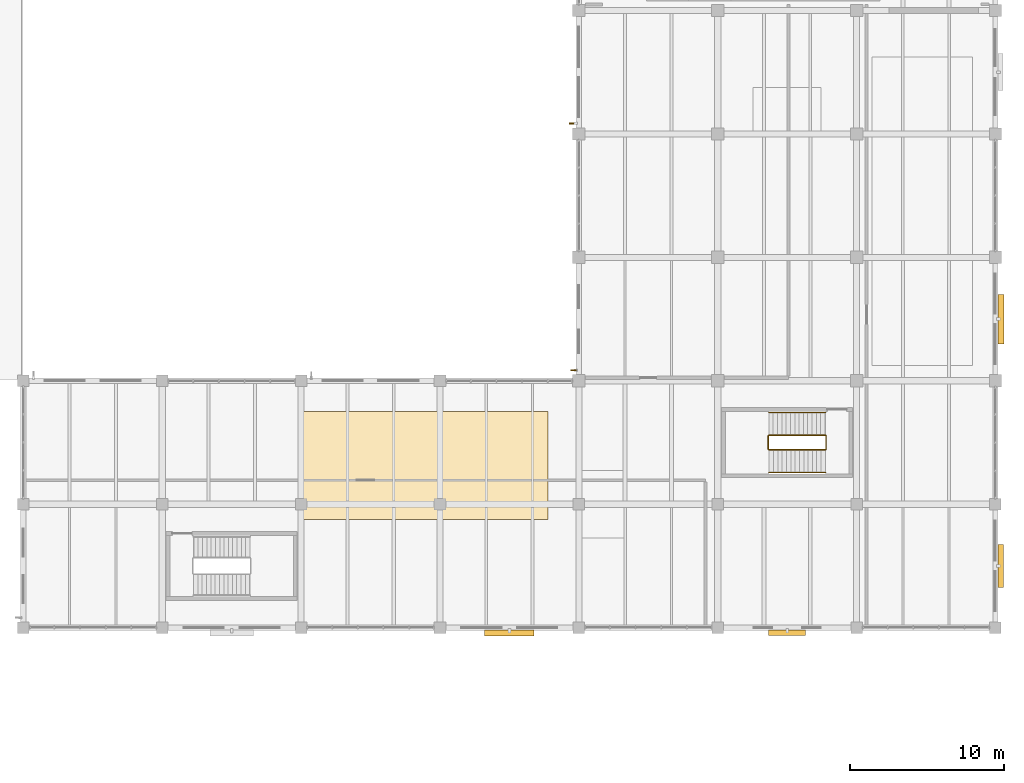
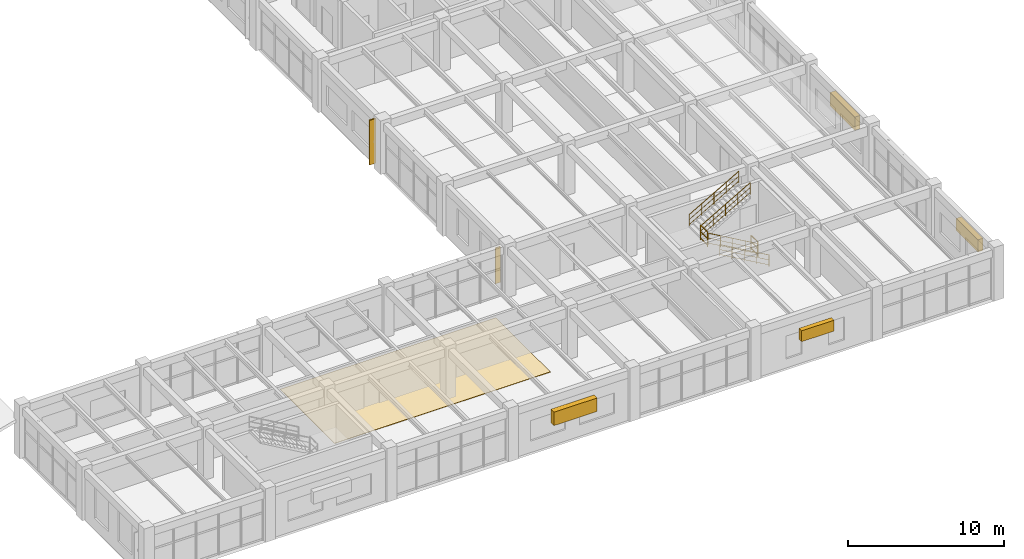
# One storey, part 145 of 148: 6 railings, 6 shading devices, 1 covering.
"""IFC4 building model written with IfcOpenShell, lengths in metres."""

from ifc_helpers import new_model, si_unit, derived_unit, direction, frame, origin, origin_2d, place, context, subcontext, project, spatial, polyline, rectangle, circle, outline, extrude, material, layer, layer_set, type_object, element, save


model = new_model("IFC4")

# Units and contexts
model_context = context("Model", 3, precision=1e-05, world=origin(), true_north=direction((0.0, 1.0)))
body_context = subcontext(model_context, "Body", "Model", "MODEL_VIEW")
ifc_project = project(units=[si_unit("LENGTHUNIT", "METRE"), si_unit("AREAUNIT", "SQUARE_METRE"), si_unit("VOLUMEUNIT", "CUBIC_METRE"), si_unit("PLANEANGLEUNIT", "RADIAN"), si_unit("MASSUNIT", "GRAM", prefix="KILO"), derived_unit("THERMALTRANSMITTANCEUNIT", [(si_unit("MASSUNIT", "GRAM", prefix="KILO"), 1), (si_unit("TIMEUNIT", "SECOND"), -3), (si_unit("THERMODYNAMICTEMPERATUREUNIT", "KELVIN"), -1)])], contexts=[model_context])

# Site, building, storey
site_placement = place(None, origin())
site = spatial("IfcSite", under=ifc_project, at=site_placement, CompositionType="ELEMENT")
building_placement = place(site_placement, origin())
building = spatial("IfcBuilding", under=site, at=building_placement, Name="Zhenchuan Archway Interchange", CompositionType="ELEMENT")
storey_placement = place(building_placement, frame((0.0, 0.0, 10.199951171875)))
storey = spatial("IfcBuildingStorey", under=building, at=storey_placement, Name="L02", CompositionType="ELEMENT", Elevation=10.199951171875)

# Covering
ifc_material_1 = material(Name="Granite Stone Cladding", Category="masonry")
ifc_layer = layer(ifc_material_1, 0.030029296875)
ifc_layer_set = layer_set([ifc_layer], Name="Granite Stone Cladding")
covering_type = type_object("IfcCoveringType", Name="COV_FLR_GRANITE", PredefinedType="FLOORING", material=ifc_layer_set)
covering_placement = place(storey_placement, origin())
element("IfcCovering", 1, at=covering_placement, inside=storey, type_object=covering_type, Name="Concourse floor finish panel 06 (L02)", PredefinedType="FLOORING", context=body_context, shape_type="SweptSolid", body=[
    extrude(outline(polyline([(126.0, 15.0), (142.0, 15.0), (142.0, 22.0), (126.0, 22.0), (126.0, 15.0)])), origin(), (0.0, 0.0, 1.0), 0.030029296875),
])

# Railings
ifc_material_2 = material(Name="Painted Galvanised Steel", Category="steel")
railing_type_1 = type_object("IfcRailingType", Name="RL_GUARD_1150", PredefinedType="GUARDRAIL", material=ifc_material_2)
for number, where, name in (
    (2, (156.27490234375, 19.56494140625, 2.10009765625), "Stair ST-O4 half-landing slot guard (L02)"),
    (3, (160.014892578125, 19.56494140625, 0.0), "Stair ST-O4 floor well guard (L02)"),
):
    element("IfcRailing", number, at=place(storey_placement, frame(where)), inside=storey, type_object=railing_type_1, Name=name, PredefinedType="GUARDRAIL", context=body_context, shape_type="SweptSolid", body=[
        extrude(circle(Radius=0.02392578125, at=origin_2d()), frame((0.0, 0.0, 1.1259765625), z_axis=(0.0, 1.0, 0.0), x_axis=(-1.0, 0.0, 0.0)), (0.0, 0.0, 1.0), 0.8701171875),
        extrude(circle(Radius=0.01611328125, at=origin_2d()), frame((0.0, 0.0, 0.63232421875), z_axis=(0.0, 1.0, 0.0), x_axis=(-1.0, 0.0, 0.0)), (0.0, 0.0, 1.0), 0.8701171875),
        extrude(circle(Radius=0.01611328125, at=origin_2d()), frame((0.0, 0.0, 0.1201171875), z_axis=(0.0, 1.0, 0.0), x_axis=(-1.0, 0.0, 0.0)), (0.0, 0.0, 1.0), 0.8701171875),
        extrude(circle(Radius=0.02099609375, at=origin_2d()), origin(), (0.0, 0.0, 1.0), 1.1259765625),
        extrude(circle(Radius=0.02099609375, at=origin_2d()), frame((0.0, 0.8701171875, 0.0)), (0.0, 0.0, 1.0), 1.1259765625),
    ])
ifc_material_3 = material(Name="Stainless Steel 304", Category="steel")
railing_type_2 = type_object("IfcRailingType", Name="RL_HAND_920", PredefinedType="HANDRAIL", material=ifc_material_3)
for number, where, name in (
    (4, (159.97509765625, 18.054931640625, 0.150146484375), "Stair ST-O4 handrail 1 (L02)"),
    (5, (159.97509765625, 19.52490234375, 0.150146484375), "Stair ST-O4 handrail 2 (L02)"),
):
    element("IfcRailing", number, at=place(storey_placement, frame(where)), inside=storey, type_object=railing_type_2, Name=name, PredefinedType="HANDRAIL", context=body_context, shape_type="SweptSolid", body=[
        extrude(circle(Radius=0.02392578125, at=origin_2d()), frame((0.0, 0.0, 0.89599609375), z_axis=(-0.867390923327, 0.0, 0.497627356693), x_axis=(0.0, -1.0, 0.0)), (0.0, 0.0, 1.0), 4.2197265625),
        extrude(circle(Radius=0.01611328125, at=origin_2d()), frame((0.0, 0.0, 0.505859375), z_axis=(-0.867390923327, 0.0, 0.497627356693), x_axis=(0.0, -1.0, 0.0)), (0.0, 0.0, 1.0), 4.2197265625),
        extrude(circle(Radius=0.01611328125, at=origin_2d()), frame((0.0, 0.0, 0.1201171875), z_axis=(-0.867390923327, 0.0, 0.497627356693), x_axis=(0.0, -1.0, 0.0)), (0.0, 0.0, 1.0), 4.2197265625),
        extrude(circle(Radius=0.02099609375, at=origin_2d()), origin(), (0.0, 0.0, 1.0), 0.89599609375),
        extrude(circle(Radius=0.02099609375, at=origin_2d()), frame((-0.9150390625, 0.0, 0.52490234375)), (0.0, 0.0, 1.0), 0.89599609375),
        extrude(circle(Radius=0.02099609375, at=origin_2d()), frame((-1.830078125, 0.0, 1.0498046875)), (0.0, 0.0, 1.0), 0.89599609375),
        extrude(circle(Radius=0.02099609375, at=origin_2d()), frame((-2.7451171875, 0.0, 1.574951171875)), (0.0, 0.0, 1.0), 0.89599609375),
        extrude(circle(Radius=0.02099609375, at=origin_2d()), frame((-3.66015625, 0.0, 2.099853515625)), (0.0, 0.0, 1.0), 0.89599609375),
    ])
for number, where, name in (
    (6, (156.31494140625, 20.47509765625, 2.25), "Stair ST-O4 handrail 3 (L02)"),
    (7, (156.31494140625, 21.945068359375, 2.25), "Stair ST-O4 handrail 4 (L02)"),
):
    element("IfcRailing", number, at=place(storey_placement, frame(where)), inside=storey, type_object=railing_type_2, Name=name, PredefinedType="HANDRAIL", context=body_context, shape_type="SweptSolid", body=[
        extrude(circle(Radius=0.02392578125, at=origin_2d()), frame((0.0, 0.0, 0.89599609375), z_axis=(0.867365949741, 0.0, 0.49767088445), x_axis=(0.0, 1.0, 0.0)), (0.0, 0.0, 1.0), 4.219970703125),
        extrude(circle(Radius=0.01611328125, at=origin_2d()), frame((0.0, 0.0, 0.505859375), z_axis=(0.867365949741, 0.0, 0.49767088445), x_axis=(0.0, 1.0, 0.0)), (0.0, 0.0, 1.0), 4.219970703125),
        extrude(circle(Radius=0.01611328125, at=origin_2d()), frame((0.0, 0.0, 0.1201171875), z_axis=(0.867365949741, 0.0, 0.49767088445), x_axis=(0.0, 1.0, 0.0)), (0.0, 0.0, 1.0), 4.219970703125),
        extrude(circle(Radius=0.02099609375, at=origin_2d()), origin(), (0.0, 0.0, 1.0), 0.89599609375),
        extrude(circle(Radius=0.02099609375, at=origin_2d()), frame((0.9150390625, 0.0, 0.52490234375)), (0.0, 0.0, 1.0), 0.89599609375),
        extrude(circle(Radius=0.02099609375, at=origin_2d()), frame((1.830078125, 0.0, 1.050048828125)), (0.0, 0.0, 1.0), 0.89599609375),
        extrude(circle(Radius=0.02099609375, at=origin_2d()), frame((2.7451171875, 0.0, 1.5751953125)), (0.0, 0.0, 1.0), 0.89599609375),
        extrude(circle(Radius=0.02099609375, at=origin_2d()), frame((3.66015625, 0.0, 2.10009765625)), (0.0, 0.0, 1.0), 0.89599609375),
    ])

# Shading devices
ifc_material_4 = material(Name="Terracotta Ceramic", Category="masonry")
shading_device_type_1 = type_object("IfcShadingDeviceType", Name="SHD_FIN_2", PredefinedType="USERDEFINED", material=ifc_material_4)
shading_device_1_placement = place(storey_placement, frame((143.666015625, 24.677978515625, 0.5498046875), z_axis=(0.0, 0.0, 1.0), x_axis=(0.0, 1.0, 0.0)))
element("IfcShadingDevice", 8, at=shading_device_1_placement, inside=storey, type_object=shading_device_type_1, Name="Terracotta vertical solar fin L02-100", ObjectType="FINS", PredefinedType="USERDEFINED", context=body_context, shape_type="SweptSolid", body=[
    extrude(rectangle(XDim=0.080078125, YDim=0.360107421875, at=origin_2d()), origin(), (0.0, 0.0, 1.0), 2.800048828125),
])
shading_device_type_2 = type_object("IfcShadingDeviceType", Name="SHD_FIN_3", PredefinedType="USERDEFINED", material=ifc_material_4)
shading_device_2_placement = place(storey_placement, frame((143.615966796875, 40.677978515625, 0.199951171875), z_axis=(0.0, 0.0, 1.0), x_axis=(0.0, 1.0, 0.0)))
element("IfcShadingDevice", 9, at=shading_device_2_placement, inside=storey, type_object=shading_device_type_2, Name="Terracotta vertical solar fin L02-101", ObjectType="FINS", PredefinedType="USERDEFINED", context=body_context, shape_type="SweptSolid", body=[
    extrude(rectangle(XDim=0.10009765625, YDim=0.4599609375, at=origin_2d()), origin(), (0.0, 0.0, 1.0), 3.5),
])
ifc_material_5 = material(Name="Anodised Aluminium", Category="aluminium")
shading_device_type_3 = type_object("IfcShadingDeviceType", Name="SHD_LOUVRE_1", PredefinedType="JALOUSIE", material=ifc_material_5)
shading_device_3_placement = place(storey_placement, frame((171.343994140625, 12.0, 1.875), z_axis=(0.0, 0.0, 1.0), x_axis=(0.0, -1.0, 0.0)))
element("IfcShadingDevice", 10, at=shading_device_3_placement, inside=storey, type_object=shading_device_type_3, Name="Monsoon storm-louvre jalousie L02-093", PredefinedType="JALOUSIE", context=body_context, shape_type="SweptSolid", body=[
    extrude(rectangle(XDim=2.800048828125, YDim=0.3798828125, at=origin_2d()), origin(), (0.0, 0.0, 1.0), 0.949951171875),
])
shading_device_type_4 = type_object("IfcShadingDeviceType", Name="SHD_LOUVRE_2", PredefinedType="JALOUSIE", material=ifc_material_5)
shading_device_4_placement = place(storey_placement, frame((157.5, 7.676025390625, 1.925048828125), z_axis=(0.0, 0.0, 1.0), x_axis=(-1.0, 0.0, 0.0)))
element("IfcShadingDevice", 11, at=shading_device_4_placement, inside=storey, type_object=shading_device_type_4, Name="Monsoon storm-louvre jalousie L02-094", PredefinedType="JALOUSIE", context=body_context, shape_type="SweptSolid", body=[
    extrude(rectangle(XDim=2.39990234375, YDim=0.340087890625, at=origin_2d()), origin(), (0.0, 0.0, 1.0), 0.85009765625),
])
shading_device_type_5 = type_object("IfcShadingDeviceType", Name="SHD_LOUVRE_3", PredefinedType="JALOUSIE", material=ifc_material_5)
for number, where, z_axis, x_axis, name in (
    (12, (171.35400390625, 28.0, 1.8251953125), (0.0, 0.0, 1.0), (0.0, -1.0, 0.0), "Monsoon storm-louvre jalousie L02-092"),
    (13, (139.5, 7.64599609375, 1.8251953125), (0.0, 0.0, 1.0), (-1.0, 0.0, 0.0), "Monsoon storm-louvre jalousie L02-095"),
):
    element("IfcShadingDevice", number, at=place(storey_placement, frame(where, z_axis=z_axis, x_axis=x_axis)), inside=storey, type_object=shading_device_type_5, Name=name, PredefinedType="JALOUSIE", context=body_context, shape_type="SweptSolid", body=[
        extrude(rectangle(XDim=3.199951171875, YDim=0.39990234375, at=origin_2d()), origin(), (0.0, 0.0, 1.0), 1.050048828125),
    ])

save(model, "model.ifc")
